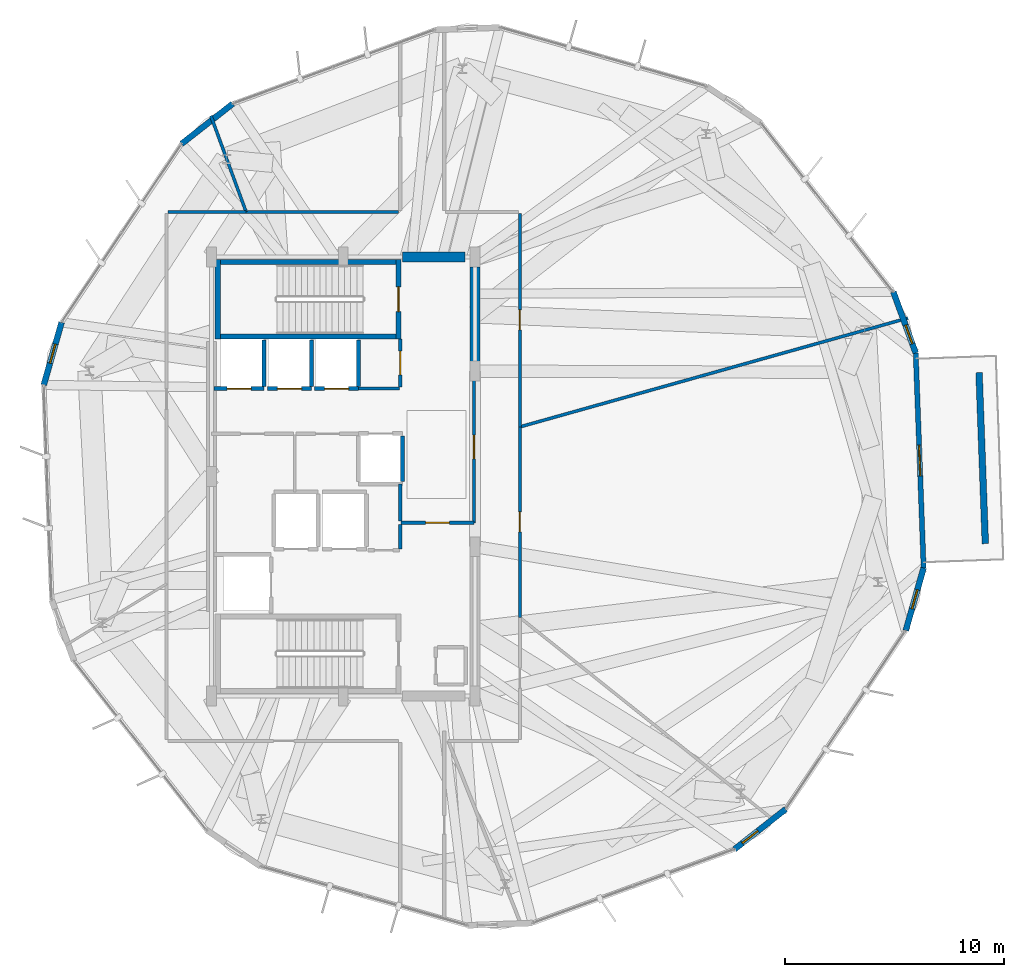
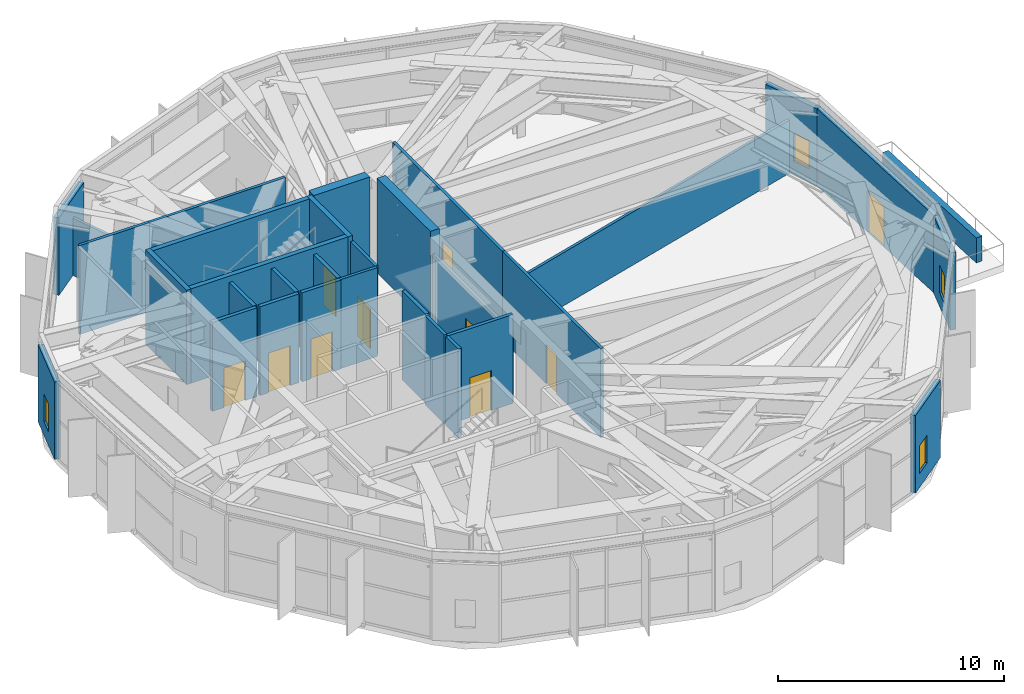
# One storey, part 26 of 30: 32 walls, 10 doors, 4 windows, 14 openings.
"""IFC4 building model written with IfcOpenShell, lengths in metres."""

from ifc_helpers import new_model, si_unit, direction, frame, frame_2d, origin, place, context, subcontext, project, spatial, rectangle, extrude, material, layer, layer_set, type_object, element, fill, save


model = new_model("IFC4")

# Units and contexts
model_context = context("Model", 3, precision=1e-05, world=origin(), true_north=direction((0.0, 1.0)))
body_context = subcontext(model_context, "Body", "Model", "MODEL_VIEW")
ifc_project = project(units=[si_unit("LENGTHUNIT", "METRE"), si_unit("AREAUNIT", "SQUARE_METRE"), si_unit("VOLUMEUNIT", "CUBIC_METRE"), si_unit("PLANEANGLEUNIT", "RADIAN"), si_unit("MASSUNIT", "GRAM", prefix="KILO")], contexts=[model_context])

# Site, building, storey
site_placement = place(None, origin())
site = spatial("IfcSite", under=ifc_project, at=site_placement, CompositionType="ELEMENT")
building_placement = place(site_placement, origin())
building = spatial("IfcBuilding", under=site, at=building_placement, Name="Soratama Intermodal Tower", CompositionType="ELEMENT")
storey_placement = place(building_placement, frame((0.0, 0.0, 237.39990234375)))
storey = spatial("IfcBuildingStorey", under=building, at=storey_placement, Name="L60", CompositionType="ELEMENT", Elevation=237.39990234375)

# Wall, opening, door
ifc_material_1 = material(Name="Concrete f'c 42 MPa", Category="concrete")
ifc_layer_1 = layer(ifc_material_1, 0.22998046875)
ifc_layer_set_1 = layer_set([ifc_layer_1], Name="Concrete f'c 42 MPa")
wall_type_1 = type_object("IfcWallType", Name="EW-BAL-230", PredefinedType="SOLIDWALL", material=ifc_layer_set_1)
wall_1_placement = place(storey_placement, frame((65.043212890625, 20.832763671875, 0.0), z_axis=(0.0, 0.0, 1.0), x_axis=(-0.036654983518, 0.999327980286, 0.0)))
wall_1 = element("IfcWall", 1, at=wall_1_placement, inside=storey, type_object=wall_type_1, Name="L60 Terrace Wall F09", PredefinedType="SOLIDWALL", context=body_context, shape_type="SweptSolid", body=[
    extrude(rectangle(XDim=9.797607421875, YDim=0.22998046875, at=frame_2d((4.89892578125, 0.0))), origin(), (0.0, 0.0, 1.0), 4.17919921875),
])
opening_1_placement = place(wall_1_placement, frame((4.19873046875, 0.0, 0.0)))
opening_1 = element("IfcOpeningElement", 2, at=opening_1_placement, cuts=wall_1, Name="Opening ED-3", PredefinedType="OPENING", context=body_context, shape_type="SweptSolid", body=[
    extrude(rectangle(XDim=1.39990234375, YDim=2.199951171875, at=frame_2d((0.699951171875, 1.10009765625))), frame((0.0, 0.125, 0.0), z_axis=(0.0, -1.0, 0.0), x_axis=(1.0, 0.0, 0.0)), (0.0, 0.0, 1.0), 0.25),
])
ifc_material_2 = material(Name="Double-glazed aluminium door", Category="aluminium")
door_type_1 = type_object("IfcDoorType", Name="DR-TERR-1400", OperationType="NOTDEFINED", PredefinedType="DOOR", material=ifc_material_2)
door_1_placement = place(opening_1_placement, origin())
door_1 = element("IfcDoor", 3, at=door_1_placement, inside=storey, type_object=door_type_1, Name="L60 Terrace Door F09", OperationType="SINGLE_SWING_RIGHT", OverallHeight=2.199951171875, OverallWidth=1.39990234375, PredefinedType="DOOR", context=body_context, shape_type="SweptSolid", body=[
    extrude(rectangle(XDim=1.39990234375, YDim=2.199951171875, at=frame_2d((0.699951171875, 1.10009765625))), frame((0.0, 0.02490234375, 0.0), z_axis=(0.0, -1.0, 0.0), x_axis=(1.0, 0.0, 0.0)), (0.0, 0.0, 1.0), 0.050048828125),
])
fill(opening_1, door_1)

# Wall
ifc_material_3 = material(Name="Concrete f'c 42 MPa", Category="concrete")
ifc_layer_2 = layer(ifc_material_3, 0.27001953125)
ifc_layer_set_2 = layer_set([ifc_layer_2], Name="Concrete f'c 42 MPa")
wall_type_2 = type_object("IfcWallType", Name="EW-CRN-270", PredefinedType="SOLIDWALL", material=ifc_layer_set_2)
wall_2_placement = place(storey_placement, frame((33.568603515625, 41.98291015625, 0.0), z_axis=(0.0, 0.0, 1.0), x_axis=(-0.78691766732, -0.617058007694, 0.0)))
element("IfcWall", 4, at=wall_2_placement, inside=storey, type_object=wall_type_2, Name="L60 Corner Closure Wall 02", PredefinedType="SOLIDWALL", context=body_context, shape_type="SweptSolid", body=[
    extrude(rectangle(XDim=2.966552734375, YDim=0.27001953125, at=frame_2d((1.4833984375, 0.0))), origin(), (0.0, 0.0, 1.0), 4.17919921875),
])

# Wall, opening, window
wall_3_placement = place(storey_placement, frame((25.76953125, 32.020263671875, 0.0), z_axis=(0.0, 0.0, 1.0), x_axis=(-0.27397104283, -0.961737941276, 0.0)))
wall_3 = element("IfcWall", 5, at=wall_3_placement, inside=storey, type_object=wall_type_2, Name="L60 Corner Closure Wall 03", PredefinedType="SOLIDWALL", context=body_context, shape_type="SweptSolid", body=[
    extrude(rectangle(XDim=2.966552734375, YDim=0.27001953125, at=frame_2d((1.4833984375, 0.0))), origin(), (0.0, 0.0, 1.0), 4.17919921875),
])
opening_2_placement = place(wall_3_placement, frame((1.033203125, 0.0, 0.75)))
opening_2 = element("IfcOpeningElement", 6, at=opening_2_placement, cuts=wall_3, Name="Opening WN-6", PredefinedType="OPENING", context=body_context, shape_type="SweptSolid", body=[
    extrude(rectangle(XDim=0.89990234375, YDim=1.5, at=frame_2d((0.449951171875, 0.75))), frame((0.0, 0.14501953125, 0.0), z_axis=(0.0, -1.0, 0.0), x_axis=(1.0, 0.0, 0.0)), (0.0, 0.0, 1.0), 0.2900390625),
])
ifc_material_4 = material(Name="Double-glazed aluminium window", Category="aluminium")
window_type = type_object("IfcWindowType", Name="WN-FAC-900", PartitioningType="SINGLE_PANEL", PredefinedType="WINDOW", material=ifc_material_4)
window_1_placement = place(opening_2_placement, origin())
window_1 = element("IfcWindow", 7, at=window_1_placement, inside=storey, type_object=window_type, Name="L60 Corner Window 03", OverallHeight=1.5, OverallWidth=0.89990234375, PartitioningType="SINGLE_PANEL", PredefinedType="WINDOW", context=body_context, shape_type="SweptSolid", body=[
    extrude(rectangle(XDim=0.89990234375, YDim=1.5, at=frame_2d((0.449951171875, 0.75))), frame((0.0, 0.030029296875, 0.0), z_axis=(0.0, -1.0, 0.0), x_axis=(1.0, 0.0, 0.0)), (0.0, 0.0, 1.0), 0.06005859375),
])
fill(opening_2, window_1)

wall_4_placement = place(storey_placement, frame((56.431396484375, 8.01708984375, 0.0), z_axis=(0.0, 0.0, 1.0), x_axis=(0.78691766732, 0.617058007694, 0.0)))
wall_4 = element("IfcWall", 8, at=wall_4_placement, inside=storey, type_object=wall_type_2, Name="L60 Corner Closure Wall 07", PredefinedType="SOLIDWALL", context=body_context, shape_type="SweptSolid", body=[
    extrude(rectangle(XDim=2.966552734375, YDim=0.27001953125, at=frame_2d((1.4833984375, 0.0))), origin(), (0.0, 0.0, 1.0), 4.17919921875),
])
opening_3_placement = place(wall_4_placement, frame((0.449951171875, 0.0, 0.75)))
opening_3 = element("IfcOpeningElement", 9, at=opening_3_placement, cuts=wall_4, Name="Opening WN-6", PredefinedType="OPENING", context=body_context, shape_type="SweptSolid", body=[
    extrude(rectangle(XDim=0.89990234375, YDim=1.5, at=frame_2d((0.449951171875, 0.75))), frame((0.0, 0.14501953125, 0.0), z_axis=(0.0, -1.0, 0.0), x_axis=(1.0, 0.0, 0.0)), (0.0, 0.0, 1.0), 0.2900390625),
])
window_2_placement = place(opening_3_placement, origin())
window_2 = element("IfcWindow", 10, at=window_2_placement, inside=storey, type_object=window_type, Name="L60 Corner Window 07", OverallHeight=1.5, OverallWidth=0.89990234375, PartitioningType="SINGLE_PANEL", PredefinedType="WINDOW", context=body_context, shape_type="SweptSolid", body=[
    extrude(rectangle(XDim=0.89990234375, YDim=1.5, at=frame_2d((0.449951171875, 0.75))), frame((0.0, 0.030029296875, 0.0), z_axis=(0.0, -1.0, 0.0), x_axis=(1.0, 0.0, 0.0)), (0.0, 0.0, 1.0), 0.06005859375),
])
fill(opening_3, window_2)

wall_5_placement = place(storey_placement, frame((64.23046875, 17.979736328125, 0.0), z_axis=(0.0, 0.0, 1.0), x_axis=(0.27397104283, 0.961737941276, 0.0)))
wall_5 = element("IfcWall", 11, at=wall_5_placement, inside=storey, type_object=wall_type_2, Name="L60 Corner Closure Wall 08", PredefinedType="SOLIDWALL", context=body_context, shape_type="SweptSolid", body=[
    extrude(rectangle(XDim=2.966552734375, YDim=0.27001953125, at=frame_2d((1.4833984375, 0.0))), origin(), (0.0, 0.0, 1.0), 4.17919921875),
])
opening_4_placement = place(wall_5_placement, frame((1.033203125, 0.0, 0.75)))
opening_4 = element("IfcOpeningElement", 12, at=opening_4_placement, cuts=wall_5, Name="Opening WN-6", PredefinedType="OPENING", context=body_context, shape_type="SweptSolid", body=[
    extrude(rectangle(XDim=0.89990234375, YDim=1.5, at=frame_2d((0.449951171875, 0.75))), frame((0.0, 0.14501953125, 0.0), z_axis=(0.0, -1.0, 0.0), x_axis=(1.0, 0.0, 0.0)), (0.0, 0.0, 1.0), 0.2900390625),
])
window_3_placement = place(opening_4_placement, origin())
window_3 = element("IfcWindow", 13, at=window_3_placement, inside=storey, type_object=window_type, Name="L60 Corner Window 08", OverallHeight=1.5, OverallWidth=0.89990234375, PartitioningType="SINGLE_PANEL", PredefinedType="WINDOW", context=body_context, shape_type="SweptSolid", body=[
    extrude(rectangle(XDim=0.89990234375, YDim=1.5, at=frame_2d((0.449951171875, 0.75))), frame((0.0, 0.030029296875, 0.0), z_axis=(0.0, -1.0, 0.0), x_axis=(1.0, 0.0, 0.0)), (0.0, 0.0, 1.0), 0.06005859375),
])
fill(opening_4, window_3)

wall_6_placement = place(storey_placement, frame((64.68408203125, 30.623779296875, 0.0), z_axis=(0.0, 0.0, 1.0), x_axis=(-0.343572680233, 0.939126090255, 0.0)))
wall_6 = element("IfcWall", 14, at=wall_6_placement, inside=storey, type_object=wall_type_2, Name="L60 Corner Closure Wall 09", PredefinedType="SOLIDWALL", context=body_context, shape_type="SweptSolid", body=[
    extrude(rectangle(XDim=2.966796875, YDim=0.27001953125, at=frame_2d((1.4833984375, 0.0))), origin(), (0.0, 0.0, 1.0), 4.17919921875),
])
opening_5_placement = place(wall_6_placement, frame((0.449951171875, 0.0, 0.75)))
opening_5 = element("IfcOpeningElement", 15, at=opening_5_placement, cuts=wall_6, Name="Opening WN-6", PredefinedType="OPENING", context=body_context, shape_type="SweptSolid", body=[
    extrude(rectangle(XDim=0.89990234375, YDim=1.5, at=frame_2d((0.449951171875, 0.75))), frame((0.0, 0.14501953125, 0.0), z_axis=(0.0, -1.0, 0.0), x_axis=(1.0, 0.0, 0.0)), (0.0, 0.0, 1.0), 0.2900390625),
])
window_4_placement = place(opening_5_placement, origin())
window_4 = element("IfcWindow", 16, at=window_4_placement, inside=storey, type_object=window_type, Name="L60 Corner Window 09", OverallHeight=1.5, OverallWidth=0.89990234375, PartitioningType="SINGLE_PANEL", PredefinedType="WINDOW", context=body_context, shape_type="SweptSolid", body=[
    extrude(rectangle(XDim=0.89990234375, YDim=1.5, at=frame_2d((0.449951171875, 0.75))), frame((0.0, 0.030029296875, 0.0), z_axis=(0.0, -1.0, 0.0), x_axis=(1.0, 0.0, 0.0)), (0.0, 0.0, 1.0), 0.06005859375),
])
fill(opening_5, window_4)

# Wall
ifc_material_5 = material(Name="Precast concrete f'c 40 MPa", Category="concrete")
ifc_layer_3 = layer(ifc_material_5, 0.300048828125)
ifc_layer_set_3 = layer_set([ifc_layer_3], Name="Precast concrete f'c 40 MPa")
wall_type_3 = type_object("IfcWallType", Name="EW-POOL-300", PredefinedType="PARAPET", material=ifc_layer_set_3)
wall_7_placement = place(storey_placement, frame((67.8544921875, 21.9365234375, 0.0), z_axis=(0.0, 0.0, 1.0), x_axis=(-0.036631829384, 0.999328829303, 0.0)))
element("IfcWall", 17, at=wall_7_placement, inside=storey, type_object=wall_type_3, Name="L60 Sky Pool Basin Wall", PredefinedType="PARAPET", context=body_context, shape_type="SweptSolid", body=[
    extrude(rectangle(XDim=7.797607421875, YDim=0.300048828125, at=frame_2d((3.89892578125, 0.0))), origin(), (0.0, 0.0, 1.0), 1.35009765625),
])

# Wall, opening, door
ifc_material_6 = material(Name="Fire-rated gypsum stud partition", Category="concrete")
ifc_layer_4 = layer(ifc_material_6, 0.14990234375)
ifc_layer_set_4 = layer_set([ifc_layer_4], Name="Fire-rated gypsum stud partition")
wall_type_4 = type_object("IfcWallType", Name="IW-PART-R150", PredefinedType="PARTITIONING", material=ifc_layer_set_4)
wall_8_placement = place(storey_placement, frame((46.64990234375, 36.97998046875, 0.0), z_axis=(0.0, 0.0, 1.0), x_axis=(0.0, -1.0, 0.0)))
wall_8 = element("IfcWall", 18, at=wall_8_placement, inside=storey, type_object=wall_type_4, Name="L60 Partition W-L60-TP005", PredefinedType="PARTITIONING", context=body_context, shape_type="SweptSolid", body=[
    extrude(rectangle(XDim=9.721923828125, YDim=0.14990234375, at=frame_2d((4.86083984375, 0.0))), origin(), (0.0, 0.0, 1.0), 4.800048828125),
])
opening_6_placement = place(wall_8_placement, frame((4.385986328125, 0.0, 0.0)))
opening_6 = element("IfcOpeningElement", 19, at=opening_6_placement, cuts=wall_8, Name="Opening ID-6", PredefinedType="OPENING", context=body_context, shape_type="SweptSolid", body=[
    extrude(rectangle(XDim=0.919921875, YDim=2.1201171875, at=frame_2d((0.4599609375, 1.06005859375))), frame((0.0, 0.0849609375, 0.0), z_axis=(0.0, -1.0, 0.0), x_axis=(1.0, 0.0, 0.0)), (0.0, 0.0, 1.0), 0.169921875),
])
ifc_material_7 = material(Name="Solid hardwood acoustic door", Category="wood")
door_type_2 = type_object("IfcDoorType", Name="DR-ROOM-920", OperationType="NOTDEFINED", PredefinedType="DOOR", material=ifc_material_7)
door_2_placement = place(opening_6_placement, origin())
door_2 = element("IfcDoor", 20, at=door_2_placement, inside=storey, type_object=door_type_2, Name="L60 Door D-L60-TP003", OperationType="SINGLE_SWING_RIGHT", OverallHeight=2.1201171875, OverallWidth=0.919921875, PredefinedType="DOOR", context=body_context, shape_type="SweptSolid", body=[
    extrude(rectangle(XDim=0.919921875, YDim=2.1201171875, at=frame_2d((0.4599609375, 1.06005859375))), frame((0.0, 0.02490234375, 0.0), z_axis=(0.0, -1.0, 0.0), x_axis=(1.0, 0.0, 0.0)), (0.0, 0.0, 1.0), 0.050048828125),
])
fill(opening_6, door_2)

wall_9_placement = place(storey_placement, frame((46.64990234375, 27.258056640625, 0.0), z_axis=(0.0, 0.0, 1.0), x_axis=(0.0, -1.0, 0.0)))
wall_9 = element("IfcWall", 21, at=wall_9_placement, inside=storey, type_object=wall_type_4, Name="L60 Partition W-L60-TP007", PredefinedType="PARTITIONING", context=body_context, shape_type="SweptSolid", body=[
    extrude(rectangle(XDim=8.68505859375, YDim=0.14990234375, at=frame_2d((4.342529296875, 0.0))), origin(), (0.0, 0.0, 1.0), 4.800048828125),
])
opening_7_placement = place(wall_9_placement, frame((3.866943359375, 0.0, 0.0)))
opening_7 = element("IfcOpeningElement", 22, at=opening_7_placement, cuts=wall_9, Name="Opening ID-6", PredefinedType="OPENING", context=body_context, shape_type="SweptSolid", body=[
    extrude(rectangle(XDim=0.919921875, YDim=2.1201171875, at=frame_2d((0.4599609375, 1.06005859375))), frame((0.0, 0.0849609375, 0.0), z_axis=(0.0, -1.0, 0.0), x_axis=(1.0, 0.0, 0.0)), (0.0, 0.0, 1.0), 0.169921875),
])
door_3_placement = place(opening_7_placement, origin())
door_3 = element("IfcDoor", 23, at=door_3_placement, inside=storey, type_object=door_type_2, Name="L60 Door D-L60-TP004", OperationType="SINGLE_SWING_LEFT", OverallHeight=2.1201171875, OverallWidth=0.919921875, PredefinedType="DOOR", context=body_context, shape_type="SweptSolid", body=[
    extrude(rectangle(XDim=0.919921875, YDim=2.1201171875, at=frame_2d((0.4599609375, 1.06005859375))), frame((0.0, 0.02490234375, 0.0), z_axis=(0.0, -1.0, 0.0), x_axis=(1.0, 0.0, 0.0)), (0.0, 0.0, 1.0), 0.050048828125),
])
fill(opening_7, door_3)

# Wall
wall_10_placement = place(storey_placement, frame((34.177001953125, 37.050048828125, 0.0), z_axis=(0.0, 0.0, 1.0), x_axis=(1.0, 0.0, 0.0)))
element("IfcWall", 24, at=wall_10_placement, inside=storey, type_object=wall_type_4, Name="L60 Partition W-L60-TP012", PredefinedType="PARTITIONING", context=body_context, shape_type="SweptSolid", body=[
    extrude(rectangle(XDim=6.952880859375, YDim=0.14990234375, at=frame_2d((3.4765625, 0.0))), origin(), (0.0, 0.0, 1.0), 4.800048828125),
])

# Wall, opening, door
wall_11_placement = place(storey_placement, frame((44.56005859375, 29.800048828125, 0.0), z_axis=(0.0, 0.0, 1.0), x_axis=(0.0, -1.0, 0.0)))
wall_11 = element("IfcWall", 25, at=wall_11_placement, inside=storey, type_object=wall_type_4, Name="L60 Partition W-L60-TP013", PredefinedType="PARTITIONING", context=body_context, shape_type="SweptSolid", body=[
    extrude(rectangle(XDim=6.91015625, YDim=0.14990234375, at=frame_2d((3.455078125, 0.0))), origin(), (0.0, 0.0, 1.0), 3.840087890625),
])
opening_8_placement = place(wall_11_placement, frame((2.9150390625, 0.0, 0.0)))
opening_8 = element("IfcOpeningElement", 26, at=opening_8_placement, cuts=wall_11, Name="Opening ID-1", PredefinedType="OPENING", context=body_context, shape_type="SweptSolid", body=[
    extrude(rectangle(XDim=1.080078125, YDim=2.14990234375, at=frame_2d((0.5400390625, 1.074951171875))), frame((0.0, 0.0849609375, 0.0), z_axis=(0.0, -1.0, 0.0), x_axis=(1.0, 0.0, 0.0)), (0.0, 0.0, 1.0), 0.169921875),
])
ifc_material_8 = material(Name="Solid hardwood acoustic door", Category="wood")
door_type_3 = type_object("IfcDoorType", Name="DR-LOB-FD60", OperationType="NOTDEFINED", PredefinedType="DOOR", material=ifc_material_8)
door_4_placement = place(opening_8_placement, origin())
door_4 = element("IfcDoor", 27, at=door_4_placement, inside=storey, type_object=door_type_3, Name="L60 Door D-L60-TP006", OperationType="SINGLE_SWING_LEFT", OverallHeight=2.14990234375, OverallWidth=1.080078125, PredefinedType="DOOR", context=body_context, shape_type="SweptSolid", body=[
    extrude(rectangle(XDim=1.080078125, YDim=2.14990234375, at=frame_2d((0.5400390625, 1.074951171875))), frame((0.0, 0.02490234375, 0.0), z_axis=(0.0, -1.0, 0.0), x_axis=(1.0, 0.0, 0.0)), (0.0, 0.0, 1.0), 0.050048828125),
])
fill(opening_8, door_4)

# Wall
wall_12_placement = place(storey_placement, frame((30.6201171875, 37.050048828125, 0.0), z_axis=(0.0, 0.0, 1.0), x_axis=(1.0, 0.0, 0.0)))
element("IfcWall", 28, at=wall_12_placement, inside=storey, type_object=wall_type_4, Name="L60 Partition W-L60-TP018", PredefinedType="PARTITIONING", context=body_context, shape_type="SweptSolid", body=[
    extrude(rectangle(XDim=3.556884765625, YDim=0.14990234375, at=frame_2d((1.7783203125, 0.0))), origin(), (0.0, 0.0, 1.0), 4.800048828125),
])

# Wall, opening, door
wall_13_placement = place(storey_placement, frame((41.199951171875, 29.070068359375, 0.0), z_axis=(0.0, 0.0, 1.0), x_axis=(0.0, 1.0, 0.0)))
wall_13 = element("IfcWall", 29, at=wall_13_placement, inside=storey, type_object=wall_type_4, Name="L60 Partition W-L60-TP024", PredefinedType="PARTITIONING", context=body_context, shape_type="SweptSolid", body=[
    extrude(rectangle(XDim=2.18994140625, YDim=0.14990234375, at=frame_2d((1.094970703125, 0.0))), origin(), (0.0, 0.0, 1.0), 4.800048828125),
])
opening_9_placement = place(wall_13_placement, frame((0.554931640625, 0.0, 0.0)))
opening_9 = element("IfcOpeningElement", 30, at=opening_9_placement, cuts=wall_13, Name="Opening ID-1", PredefinedType="OPENING", context=body_context, shape_type="SweptSolid", body=[
    extrude(rectangle(XDim=1.080078125, YDim=2.14990234375, at=frame_2d((0.5400390625, 1.074951171875))), frame((0.0, 0.0849609375, 0.0), z_axis=(0.0, -1.0, 0.0), x_axis=(1.0, 0.0, 0.0)), (0.0, 0.0, 1.0), 0.169921875),
])
door_5_placement = place(opening_9_placement, origin())
door_5 = element("IfcDoor", 31, at=door_5_placement, inside=storey, type_object=door_type_3, Name="L60 Door D-L60-TP011", OperationType="SINGLE_SWING_RIGHT", OverallHeight=2.14990234375, OverallWidth=1.080078125, PredefinedType="DOOR", context=body_context, shape_type="SweptSolid", body=[
    extrude(rectangle(XDim=1.080078125, YDim=2.14990234375, at=frame_2d((0.5400390625, 1.074951171875))), frame((0.0, 0.02490234375, 0.0), z_axis=(0.0, -1.0, 0.0), x_axis=(1.0, 0.0, 0.0)), (0.0, 0.0, 1.0), 0.050048828125),
])
fill(opening_9, door_5)

# Walls
wall_14_placement = place(storey_placement, frame((39.300048828125, 29.010009765625, 0.0), z_axis=(0.0, 0.0, 1.0), x_axis=(1.0, 0.0, 0.0)))
element("IfcWall", 32, at=wall_14_placement, inside=storey, type_object=wall_type_4, Name="L60 Partition W-L60-TP025", PredefinedType="PARTITIONING", context=body_context, shape_type="SweptSolid", body=[
    extrude(rectangle(XDim=1.85986328125, YDim=0.14990234375, at=frame_2d((0.929931640625, 0.0))), origin(), (0.0, 0.0, 1.0), 4.800048828125),
])
wall_15_placement = place(storey_placement, frame((41.199951171875, 22.9599609375, 0.0), z_axis=(0.0, 0.0, 1.0), x_axis=(0.0, 1.0, 0.0)))
element("IfcWall", 33, at=wall_15_placement, inside=storey, type_object=wall_type_4, Name="L60 Partition W-L60-TP026", PredefinedType="PARTITIONING", context=body_context, shape_type="SweptSolid", body=[
    extrude(rectangle(XDim=1.68994140625, YDim=0.14990234375, at=frame_2d((0.844970703125, 0.0))), origin(), (0.0, 0.0, 1.0), 4.800048828125),
])

# Wall, opening, door
ifc_material_9 = material(Name="Fire-rated gypsum stud partition", Category="concrete")
ifc_layer_5 = layer(ifc_material_9, 0.169921875)
ifc_layer_set_5 = layer_set([ifc_layer_5], Name="Fire-rated gypsum stud partition")
wall_type_5 = type_object("IfcWallType", Name="IW-PART-R170", PredefinedType="PARTITIONING", material=ifc_layer_set_5)
wall_16_placement = place(storey_placement, frame((41.239990234375, 22.889892578125, 0.0), z_axis=(0.0, 0.0, 1.0), x_axis=(1.0, 0.0, 0.0)))
wall_16 = element("IfcWall", 34, at=wall_16_placement, inside=storey, type_object=wall_type_5, Name="L60 Partition W-L60-TP019", PredefinedType="PARTITIONING", context=body_context, shape_type="SweptSolid", body=[
    extrude(rectangle(XDim=3.320068359375, YDim=0.169921875, at=frame_2d((1.66015625, 0.0))), origin(), (0.0, 0.0, 1.0), 4.800048828125),
])
opening_10_placement = place(wall_16_placement, frame((1.1201171875, 0.0, 0.0)))
opening_10 = element("IfcOpeningElement", 35, at=opening_10_placement, cuts=wall_16, Name="Opening ID-0", PredefinedType="OPENING", context=body_context, shape_type="SweptSolid", body=[
    extrude(rectangle(XDim=1.080078125, YDim=2.14990234375, at=frame_2d((0.5400390625, 1.074951171875))), frame((0.0, 0.094970703125, 0.0), z_axis=(0.0, -1.0, 0.0), x_axis=(1.0, 0.0, 0.0)), (0.0, 0.0, 1.0), 0.18994140625),
])
ifc_material_10 = material(Name="Solid hardwood acoustic door", Category="wood")
door_type_4 = type_object("IfcDoorType", Name="DR-LOB-FD90", OperationType="NOTDEFINED", PredefinedType="DOOR", material=ifc_material_10)
door_6_placement = place(opening_10_placement, origin())
door_6 = element("IfcDoor", 36, at=door_6_placement, inside=storey, type_object=door_type_4, Name="L60 Door D-L60-TP009", OperationType="SINGLE_SWING_RIGHT", OverallHeight=2.14990234375, OverallWidth=1.080078125, PredefinedType="DOOR", context=body_context, shape_type="SweptSolid", body=[
    extrude(rectangle(XDim=1.080078125, YDim=2.14990234375, at=frame_2d((0.5400390625, 1.074951171875))), frame((0.0, 0.02490234375, 0.0), z_axis=(0.0, -1.0, 0.0), x_axis=(1.0, 0.0, 0.0)), (0.0, 0.0, 1.0), 0.050048828125),
])
fill(opening_10, door_6)

# Walls
wall_17_placement = place(storey_placement, frame((41.199951171875, 21.699951171875, 0.0), z_axis=(0.0, 0.0, 1.0), x_axis=(0.0, 1.0, 0.0)))
element("IfcWall", 37, at=wall_17_placement, inside=storey, type_object=wall_type_5, Name="L60 Partition W-L60-TP028", PredefinedType="PARTITIONING", context=body_context, shape_type="SweptSolid", body=[
    extrude(rectangle(XDim=1.1201171875, YDim=0.169921875, at=frame_2d((0.56005859375, 0.0))), origin(), (0.0, 0.0, 1.0), 4.800048828125),
])
ifc_material_11 = material(Name="Fire-rated gypsum stud partition", Category="concrete")
ifc_layer_6 = layer(ifc_material_11, 0.139892578125)
ifc_layer_set_6 = layer_set([ifc_layer_6], Name="Fire-rated gypsum stud partition")
wall_type_6 = type_object("IfcWallType", Name="IW-PART-S140", PredefinedType="PARTITIONING", material=ifc_layer_set_6)
wall_18_placement = place(storey_placement, frame((64.3291015625, 32.217041015625, 0.0), z_axis=(0.0, 0.0, 1.0), x_axis=(-0.962839357713, -0.270074751206, 0.0)))
element("IfcWall", 38, at=wall_18_placement, inside=storey, type_object=wall_type_6, Name="L60 Partition W-L60-TP001", PredefinedType="PARTITIONING", context=body_context, shape_type="SweptSolid", body=[
    extrude(rectangle(XDim=18.361572265625, YDim=0.139892578125, at=frame_2d((9.1806640625, 0.0))), origin(), (0.0, 0.0, 1.0), 2.8701171875),
])
wall_19_placement = place(storey_placement, frame((34.177001953125, 37.050048828125, 0.0), z_axis=(0.0, 0.0, 1.0), x_axis=(-0.344390019459, 0.938826669038, 0.0)))
element("IfcWall", 39, at=wall_19_placement, inside=storey, type_object=wall_type_6, Name="L60 Partition W-L60-TP016", PredefinedType="PARTITIONING", context=body_context, shape_type="SweptSolid", body=[
    extrude(rectangle(XDim=4.6630859375, YDim=0.139892578125, at=frame_2d((2.33154296875, 0.0))), origin(), (0.0, 0.0, 1.0), 3.090087890625),
])
ifc_material_12 = material(Name="Concrete f'c 42 MPa", Category="concrete")
ifc_layer_7 = layer(ifc_material_12, 0.18505859375)
ifc_layer_set_7 = layer_set([ifc_layer_7], Name="Concrete f'c 42 MPa")
wall_type_7 = type_object("IfcWallType", Name="IW-SHAFT-185", PredefinedType="SOLIDWALL", material=ifc_layer_set_7)
wall_20_placement = place(storey_placement, frame((41.300048828125, 24.760009765625, 0.0), z_axis=(0.0, 0.0, 1.0), x_axis=(0.0, 1.0, 0.0)))
element("IfcWall", 40, at=wall_20_placement, inside=storey, type_object=wall_type_7, Name="L60 PL-M1 Hoistway Wall E", PredefinedType="SOLIDWALL", context=body_context, shape_type="SweptSolid", body=[
    extrude(rectangle(XDim=2.080078125, YDim=0.18505859375, at=frame_2d((1.0400390625, 0.0))), origin(), (0.0, 0.0, 1.0), 4.800048828125),
])

# Wall, opening, door
wall_21_placement = place(storey_placement, frame((32.719970703125, 29.0, 0.0), z_axis=(0.0, 0.0, 1.0), x_axis=(1.0, 0.0, 0.0)))
wall_21 = element("IfcWall", 41, at=wall_21_placement, inside=storey, type_object=wall_type_7, Name="L60 PL-M2 Hoistway Wall S", PredefinedType="SOLIDWALL", context=body_context, shape_type="SweptSolid", body=[
    extrude(rectangle(XDim=2.280029296875, YDim=0.18505859375, at=frame_2d((1.14013671875, 0.0))), origin(), (0.0, 0.0, 1.0), 4.800048828125),
])
opening_11_placement = place(wall_21_placement, frame((0.590087890625, 0.0, 0.0)))
opening_11 = element("IfcOpeningElement", 42, at=opening_11_placement, cuts=wall_21, Name="Opening LD-1", PredefinedType="OPENING", context=body_context, shape_type="SweptSolid", body=[
    extrude(rectangle(XDim=1.10009765625, YDim=2.14990234375, at=frame_2d((0.550048828125, 1.074951171875))), frame((0.0, 0.1025390625, 0.0), z_axis=(0.0, -1.0, 0.0), x_axis=(1.0, 0.0, 0.0)), (0.0, 0.0, 1.0), 0.205078125),
])
ifc_material_13 = material(Name="Steel fire door", Category="steel")
door_type_5 = type_object("IfcDoorType", Name="DR-LIFT-SLIDE", OperationType="NOTDEFINED", PredefinedType="DOOR", material=ifc_material_13)
door_7_placement = place(opening_11_placement, origin())
door_7 = element("IfcDoor", 43, at=door_7_placement, inside=storey, type_object=door_type_5, Name="L60 PL-M2 Sliding Landing Door", OperationType="SLIDING_TO_LEFT", OverallHeight=2.14990234375, OverallWidth=1.10009765625, PredefinedType="DOOR", context=body_context, shape_type="SweptSolid", body=[
    extrude(rectangle(XDim=1.10009765625, YDim=2.14990234375, at=frame_2d((0.550048828125, 1.074951171875))), frame((0.0, 0.02490234375, 0.0), z_axis=(0.0, -1.0, 0.0), x_axis=(1.0, 0.0, 0.0)), (0.0, 0.0, 1.0), 0.050048828125),
])
fill(opening_11, door_7)

# Wall
wall_22_placement = place(storey_placement, frame((35.0, 29.110107421875, 0.0), z_axis=(0.0, 0.0, 1.0), x_axis=(0.0, 1.0, 0.0)))
element("IfcWall", 44, at=wall_22_placement, inside=storey, type_object=wall_type_7, Name="L60 PL-M2 Hoistway Wall E", PredefinedType="SOLIDWALL", context=body_context, shape_type="SweptSolid", body=[
    extrude(rectangle(XDim=2.099853515625, YDim=0.18505859375, at=frame_2d((1.0498046875, 0.0))), origin(), (0.0, 0.0, 1.0), 4.800048828125),
])

# Wall, opening, door
wall_23_placement = place(storey_placement, frame((35.14990234375, 29.0, 0.0), z_axis=(0.0, 0.0, 1.0), x_axis=(1.0, 0.0, 0.0)))
wall_23 = element("IfcWall", 45, at=wall_23_placement, inside=storey, type_object=wall_type_7, Name="L60 PL-H1 Hoistway Wall S", PredefinedType="SOLIDWALL", context=body_context, shape_type="SweptSolid", body=[
    extrude(rectangle(XDim=2.0, YDim=0.18505859375, at=frame_2d((1.0, 0.0))), origin(), (0.0, 0.0, 1.0), 4.800048828125),
])
opening_12_placement = place(wall_23_placement, frame((0.449951171875, 0.0, 0.0)))
opening_12 = element("IfcOpeningElement", 46, at=opening_12_placement, cuts=wall_23, Name="Opening LD-1", PredefinedType="OPENING", context=body_context, shape_type="SweptSolid", body=[
    extrude(rectangle(XDim=1.10009765625, YDim=2.14990234375, at=frame_2d((0.550048828125, 1.074951171875))), frame((0.0, 0.1025390625, 0.0), z_axis=(0.0, -1.0, 0.0), x_axis=(1.0, 0.0, 0.0)), (0.0, 0.0, 1.0), 0.205078125),
])
door_8_placement = place(opening_12_placement, origin())
door_8 = element("IfcDoor", 47, at=door_8_placement, inside=storey, type_object=door_type_5, Name="L60 PL-H1 Sliding Landing Door", OperationType="SLIDING_TO_LEFT", OverallHeight=2.14990234375, OverallWidth=1.10009765625, PredefinedType="DOOR", context=body_context, shape_type="SweptSolid", body=[
    extrude(rectangle(XDim=1.10009765625, YDim=2.14990234375, at=frame_2d((0.550048828125, 1.074951171875))), frame((0.0, 0.02490234375, 0.0), z_axis=(0.0, -1.0, 0.0), x_axis=(1.0, 0.0, 0.0)), (0.0, 0.0, 1.0), 0.050048828125),
])
fill(opening_12, door_8)

# Wall
wall_24_placement = place(storey_placement, frame((37.14990234375, 29.110107421875, 0.0), z_axis=(0.0, 0.0, 1.0), x_axis=(0.0, 1.0, 0.0)))
element("IfcWall", 48, at=wall_24_placement, inside=storey, type_object=wall_type_7, Name="L60 PL-H1 Hoistway Wall E", PredefinedType="SOLIDWALL", context=body_context, shape_type="SweptSolid", body=[
    extrude(rectangle(XDim=2.099853515625, YDim=0.18505859375, at=frame_2d((1.0498046875, 0.0))), origin(), (0.0, 0.0, 1.0), 4.800048828125),
])

# Wall, opening, door
wall_25_placement = place(storey_placement, frame((37.300048828125, 29.0, 0.0), z_axis=(0.0, 0.0, 1.0), x_axis=(1.0, 0.0, 0.0)))
wall_25 = element("IfcWall", 49, at=wall_25_placement, inside=storey, type_object=wall_type_7, Name="L60 PL-H2 Hoistway Wall S", PredefinedType="SOLIDWALL", context=body_context, shape_type="SweptSolid", body=[
    extrude(rectangle(XDim=2.0, YDim=0.18505859375, at=frame_2d((1.0, 0.0))), origin(), (0.0, 0.0, 1.0), 4.800048828125),
])
opening_13_placement = place(wall_25_placement, frame((0.449951171875, 0.0, 0.0)))
opening_13 = element("IfcOpeningElement", 50, at=opening_13_placement, cuts=wall_25, Name="Opening LD-1", PredefinedType="OPENING", context=body_context, shape_type="SweptSolid", body=[
    extrude(rectangle(XDim=1.10009765625, YDim=2.14990234375, at=frame_2d((0.550048828125, 1.074951171875))), frame((0.0, 0.1025390625, 0.0), z_axis=(0.0, -1.0, 0.0), x_axis=(1.0, 0.0, 0.0)), (0.0, 0.0, 1.0), 0.205078125),
])
door_9_placement = place(opening_13_placement, origin())
door_9 = element("IfcDoor", 51, at=door_9_placement, inside=storey, type_object=door_type_5, Name="L60 PL-H2 Sliding Landing Door", OperationType="SLIDING_TO_LEFT", OverallHeight=2.14990234375, OverallWidth=1.10009765625, PredefinedType="DOOR", context=body_context, shape_type="SweptSolid", body=[
    extrude(rectangle(XDim=1.10009765625, YDim=2.14990234375, at=frame_2d((0.550048828125, 1.074951171875))), frame((0.0, 0.02490234375, 0.0), z_axis=(0.0, -1.0, 0.0), x_axis=(1.0, 0.0, 0.0)), (0.0, 0.0, 1.0), 0.050048828125),
])
fill(opening_13, door_9)

# Walls
wall_26_placement = place(storey_placement, frame((39.300048828125, 29.110107421875, 0.0), z_axis=(0.0, 0.0, 1.0), x_axis=(0.0, 1.0, 0.0)))
element("IfcWall", 52, at=wall_26_placement, inside=storey, type_object=wall_type_7, Name="L60 PL-H2 Hoistway Wall E", PredefinedType="SOLIDWALL", context=body_context, shape_type="SweptSolid", body=[
    extrude(rectangle(XDim=2.099853515625, YDim=0.18505859375, at=frame_2d((1.0498046875, 0.0))), origin(), (0.0, 0.0, 1.0), 4.800048828125),
])
ifc_material_14 = material(Name="Concrete f'c 56 MPa", Category="concrete")
ifc_layer_8 = layer(ifc_material_14, 0.449951171875)
ifc_layer_set_8 = layer_set([ifc_layer_8], Name="Concrete f'c 56 MPa")
wall_type_8 = type_object("IfcWallType", Name="SW-CORE-450", PredefinedType="SHEAR", material=ifc_layer_set_8)
wall_27_placement = place(storey_placement, frame((41.300048828125, 35.0, 0.0), z_axis=(0.0, 0.0, 1.0), x_axis=(1.0, 0.0, 0.0)))
element("IfcWall", 53, at=wall_27_placement, inside=storey, type_object=wall_type_8, Name="L60 Core Shear Wall CW-NE", PredefinedType="SHEAR", context=body_context, shape_type="SweptSolid", body=[
    extrude(rectangle(XDim=2.849853515625, YDim=0.449951171875, at=frame_2d((1.4248046875, 0.0))), origin(), (0.0, 0.0, 1.0), 5.10009765625),
])
wall_28_placement = place(storey_placement, frame((44.60009765625, 29.800048828125, 0.0), z_axis=(0.0, 0.0, 1.0), x_axis=(0.0, 1.0, 0.0)))
element("IfcWall", 54, at=wall_28_placement, inside=storey, type_object=wall_type_8, Name="L60 Core Shear Wall CW-EN", PredefinedType="SHEAR", context=body_context, shape_type="SweptSolid", body=[
    extrude(rectangle(XDim=4.75, YDim=0.449951171875, at=frame_2d((2.375, 0.0))), origin(), (0.0, 0.0, 1.0), 5.10009765625),
])
ifc_material_15 = material(Name="Concrete f'c 56 MPa", Category="concrete")
ifc_layer_9 = layer(ifc_material_15, 0.239990234375)
ifc_layer_set_9 = layer_set([ifc_layer_9], Name="Concrete f'c 56 MPa")
wall_type_9 = type_object("IfcWallType", Name="SW-STAIR-240", PredefinedType="SHEAR", material=ifc_layer_set_9)
wall_29_placement = place(storey_placement, frame((32.8798828125, 31.260009765625, 0.0), z_axis=(0.0, 0.0, 1.0), x_axis=(0.0, 1.0, 0.0)))
element("IfcWall", 55, at=wall_29_placement, inside=storey, type_object=wall_type_9, Name="L60 ST-2 Shaft Shear Wall W", PredefinedType="SHEAR", context=body_context, shape_type="SweptSolid", body=[
    extrude(rectangle(XDim=3.6298828125, YDim=0.239990234375, at=frame_2d((1.81494140625, 0.0))), origin(), (0.0, 0.0, 1.0), 5.10009765625),
])

# Wall, opening, door
wall_30_placement = place(storey_placement, frame((41.1201171875, 31.260009765625, 0.0), z_axis=(0.0, 0.0, 1.0), x_axis=(0.0, 1.0, 0.0)))
wall_30 = element("IfcWall", 56, at=wall_30_placement, inside=storey, type_object=wall_type_9, Name="L60 ST-2 Shaft Shear Wall E", PredefinedType="SHEAR", context=body_context, shape_type="SweptSolid", body=[
    extrude(rectangle(XDim=3.6298828125, YDim=0.239990234375, at=frame_2d((1.81494140625, 0.0))), origin(), (0.0, 0.0, 1.0), 5.10009765625),
])
opening_14_placement = place(wall_30_placement, frame((1.2548828125, 0.0, 0.0)))
opening_14 = element("IfcOpeningElement", 57, at=opening_14_placement, cuts=wall_30, Name="Opening SD-1", PredefinedType="OPENING", context=body_context, shape_type="SweptSolid", body=[
    extrude(rectangle(XDim=1.1201171875, YDim=2.14990234375, at=frame_2d((0.56005859375, 1.074951171875))), frame((0.0, 0.1298828125, 0.0), z_axis=(0.0, -1.0, 0.0), x_axis=(1.0, 0.0, 0.0)), (0.0, 0.0, 1.0), 0.260009765625),
])
ifc_material_16 = material(Name="Steel fire door", Category="steel")
door_type_6 = type_object("IfcDoorType", Name="DR-STAIR-FD90", OperationType="NOTDEFINED", PredefinedType="DOOR", material=ifc_material_16)
door_10_placement = place(opening_14_placement, origin())
door_10 = element("IfcDoor", 58, at=door_10_placement, inside=storey, type_object=door_type_6, Name="L60 ST-2 Exit Stair Door", OperationType="SINGLE_SWING_RIGHT", OverallHeight=2.14990234375, OverallWidth=1.1201171875, PredefinedType="DOOR", context=body_context, shape_type="SweptSolid", body=[
    extrude(rectangle(XDim=1.1201171875, YDim=2.14990234375, at=frame_2d((0.56005859375, 1.074951171875))), frame((0.0, 0.02490234375, 0.0), z_axis=(0.0, -1.0, 0.0), x_axis=(1.0, 0.0, 0.0)), (0.0, 0.0, 1.0), 0.050048828125),
])
fill(opening_14, door_10)

# Walls
for number, where, z_axis, x_axis, name in (
    (59, (33.0, 31.3798828125, 0.0), (0.0, 0.0, 1.0), (1.0, 0.0, 0.0), "L60 ST-2 Shaft Shear Wall S"),
    (60, (33.0, 34.77001953125, 0.0), (0.0, 0.0, 1.0), (1.0, 0.0, 0.0), "L60 ST-2 Shaft Shear Wall N"),
):
    element("IfcWall", number, at=place(storey_placement, frame(where, z_axis=z_axis, x_axis=x_axis)), inside=storey, type_object=wall_type_9, Name=name, PredefinedType="SHEAR", context=body_context, shape_type="SweptSolid", body=[
        extrude(rectangle(XDim=8.0, YDim=0.239990234375, at=frame_2d((4.0, 0.0))), origin(), (0.0, 0.0, 1.0), 5.10009765625),
    ])

save(model, "model.ifc")
